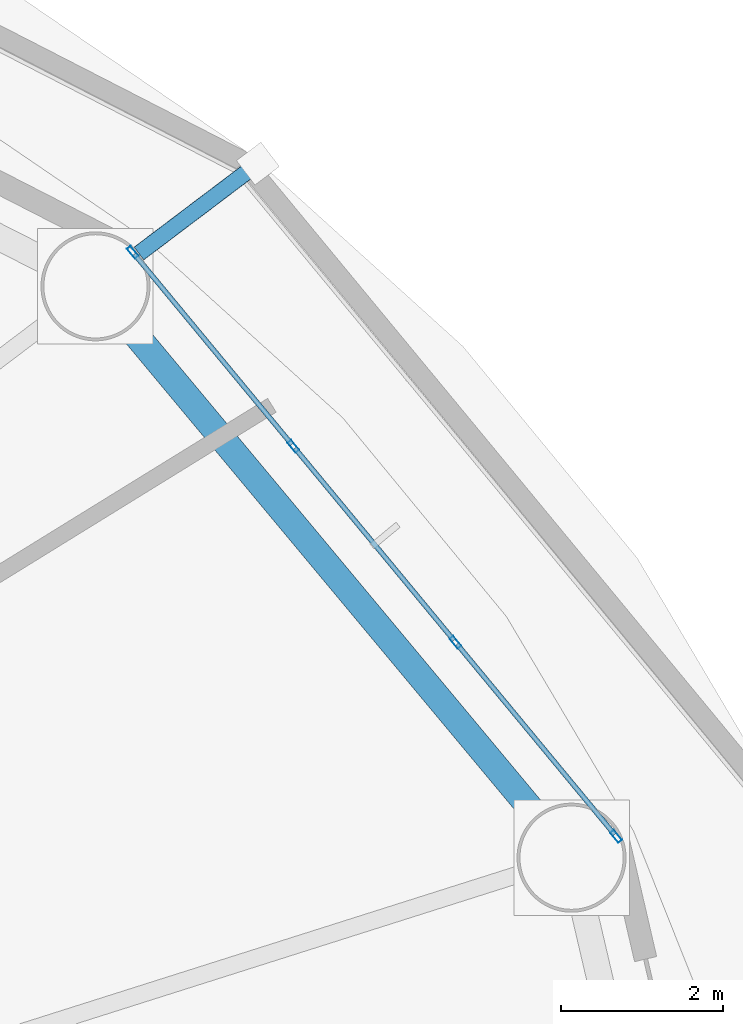
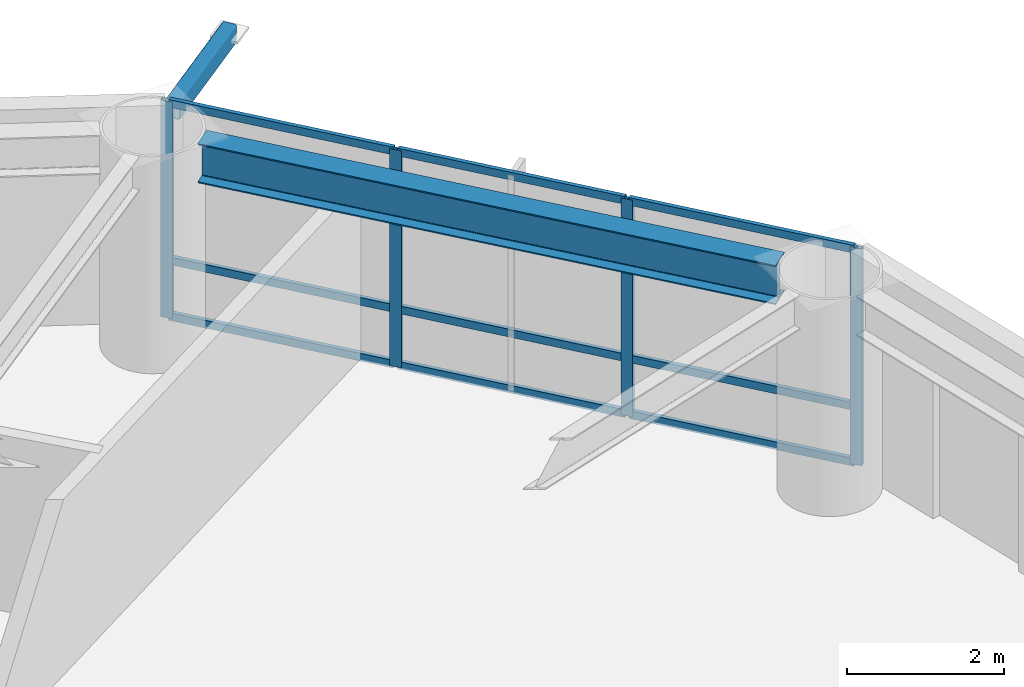
# One storey, part 12 of 25: 14 members, 1 beam, 1 element without a shape of its own.
"""IFC4 building model written with IfcOpenShell, lengths in metres."""

from ifc_helpers import new_model, si_unit, direction, frame, origin, origin_2d, place, context, subcontext, project, spatial, hollow_rectangle, i_section, extrude, material, layer, layer_set, material_profile, profile_set, type_object, element, aggregate, save


model = new_model("IFC4")

# Units and contexts
model_context = context("Model", 3, precision=1e-05, world=origin(), true_north=direction((0.0, 1.0)))
body_context = subcontext(model_context, "Body", "Model", "MODEL_VIEW")
ifc_project = project(units=[si_unit("LENGTHUNIT", "METRE"), si_unit("AREAUNIT", "SQUARE_METRE"), si_unit("VOLUMEUNIT", "CUBIC_METRE"), si_unit("PLANEANGLEUNIT", "RADIAN"), si_unit("MASSUNIT", "GRAM", prefix="KILO")], contexts=[model_context])

# Site, building, storey
site_placement = place(None, origin())
site = spatial("IfcSite", under=ifc_project, at=site_placement, CompositionType="ELEMENT")
building_placement = place(site_placement, origin())
building = spatial("IfcBuilding", under=site, at=building_placement, Name="Sarneth Arch Tower", CompositionType="ELEMENT")
storey_placement = place(building_placement, frame((0.0, 0.0, 84.0)))
storey = spatial("IfcBuildingStorey", under=building, at=storey_placement, Name="L20", CompositionType="ELEMENT", Elevation=84.0)

# Beam
ifc_material_1 = material(Name="Steel S355", Category="steel")
ifc_material_profile_1 = material_profile(ifc_material_1, i_section(OverallWidth=0.323974609375, OverallDepth=0.611083984375, WebThickness=0.0126953125, FlangeThickness=0.01904296875, FilletRadius=0.01904296875, at=origin_2d()), Name="W610x155")
ifc_profile_set_1 = profile_set([ifc_material_profile_1], Name="Steel S355")
beam_type = type_object("IfcBeamType", Name="BM-SPAN-610B", PredefinedType="SPANDREL", material=ifc_profile_set_1)
beam_placement = place(storey_placement, frame((73.859130859375, 50.861083984375, 3.074462890625), z_axis=(-0.640169116175, 0.768234015581, 0.0), x_axis=(-0.768234015581, -0.640169116175, 0.0)))
element("IfcBeam", 1, at=beam_placement, inside=storey, type_object=beam_type, Name="L20 Perimeter spandrel beam 02", PredefinedType="SPANDREL", context=body_context, shape_type="SweptSolid", body=[
    extrude(i_section(OverallWidth=0.323974609375, OverallDepth=0.611083984375, WebThickness=0.0126953125, FlangeThickness=0.01904296875, FilletRadius=0.01904296875, at=origin_2d()), origin(), (0.0, 0.0, 1.0), 7.856201171875),
])

# Curtain wall, members
ifc_material_2 = material(Name="Anodised aluminium Type AA25 and solar-control low-e laminated IGU", Category="aluminium")
ifc_layer = layer(ifc_material_2, 0.159912109375)
ifc_layer_set = layer_set([ifc_layer], Name="Anodised aluminium Type AA25 and solar-control low-e laminated IGU")
curtain_wall_type = type_object("IfcCurtainWallType", Name="CW-HOTEL-MID", PredefinedType="NOTDEFINED", material=ifc_layer_set)
curtain_wall_placement = place(storey_placement, origin())
curtain_wall = element("IfcCurtainWall", 2, at=curtain_wall_placement, inside=storey, type_object=curtain_wall_type, Name="L20 Unitised curtain wall facet 02", PredefinedType="NOTDEFINED")
ifc_material_3 = material(Name="Anodised Aluminium 6063-T6", Category="aluminium")
ifc_material_profile_2 = material_profile(ifc_material_3, hollow_rectangle(XDim=0.06005859375, YDim=0.159912109375, WallThickness=0.00390625, at=origin_2d()), Name="AL-MULL-160x60x4")
ifc_profile_set_2 = profile_set([ifc_material_profile_2], Name="Anodised Aluminium 6063-T6")
member_type_1 = type_object("IfcMemberType", Name="CW-MULLION", PredefinedType="MULLION", material=ifc_profile_set_2)
member_1_placement = place(storey_placement, frame((74.84228515625, 50.606689453125, 0.0), z_axis=(0.0, 0.0, 1.0), x_axis=(-0.770437787363, -0.637515188684, 0.0)))
member_1 = element("IfcMember", 3, at=member_1_placement, type_object=member_type_1, Name="CW-SYS-4 mullion 1", PredefinedType="MULLION", context=body_context, shape_type="SweptSolid", body=[
    extrude(hollow_rectangle(XDim=0.06005859375, YDim=0.159912109375, WallThickness=0.00390625, at=origin_2d()), origin(), (0.0, 0.0, 1.0), 3.3798828125),
])
member_2_placement = place(storey_placement, frame((72.854248046875, 53.00927734375, 0.0), z_axis=(0.0, 0.0, 1.0), x_axis=(-0.770437787363, -0.637515188684, 0.0)))
member_2 = element("IfcMember", 4, at=member_2_placement, type_object=member_type_1, Name="CW-SYS-4 mullion 2", PredefinedType="MULLION", context=body_context, shape_type="SweptSolid", body=[
    extrude(hollow_rectangle(XDim=0.06005859375, YDim=0.159912109375, WallThickness=0.00390625, at=origin_2d()), origin(), (0.0, 0.0, 1.0), 3.3798828125),
])
member_3_placement = place(storey_placement, frame((70.84716796875, 55.434814453125, 0.0), z_axis=(0.0, 0.0, 1.0), x_axis=(-0.770437787363, -0.637515188684, 0.0)))
member_3 = element("IfcMember", 5, at=member_3_placement, type_object=member_type_1, Name="CW-SYS-4 mullion 3", PredefinedType="MULLION", context=body_context, shape_type="SweptSolid", body=[
    extrude(hollow_rectangle(XDim=0.06005859375, YDim=0.159912109375, WallThickness=0.00390625, at=origin_2d()), origin(), (0.0, 0.0, 1.0), 3.3798828125),
])
member_4_placement = place(storey_placement, frame((68.859130859375, 57.83740234375, 0.0), z_axis=(0.0, 0.0, 1.0), x_axis=(-0.770437787363, -0.637515188684, 0.0)))
member_4 = element("IfcMember", 6, at=member_4_placement, type_object=member_type_1, Name="CW-SYS-4 mullion 4", PredefinedType="MULLION", context=body_context, shape_type="SweptSolid", body=[
    extrude(hollow_rectangle(XDim=0.06005859375, YDim=0.159912109375, WallThickness=0.00390625, at=origin_2d()), origin(), (0.0, 0.0, 1.0), 3.3798828125),
])
ifc_material_4 = material(Name="Anodised Aluminium 6063-T6", Category="aluminium")
ifc_material_profile_3 = material_profile(ifc_material_4, hollow_rectangle(XDim=0.06005859375, YDim=0.1201171875, WallThickness=0.00390625, at=origin_2d()), Name="AL-TRAN-120x60x4")
ifc_profile_set_3 = profile_set([ifc_material_profile_3], Name="Anodised Aluminium 6063-T6")
member_type_2 = type_object("IfcMemberType", Name="CW-TRANSOM", PredefinedType="USERDEFINED", material=ifc_profile_set_3)
member_5_placement = place(storey_placement, frame((74.8232421875, 50.6298828125, 0.030029296875), z_axis=(-0.637566080343, 0.770395673142, 0.0), x_axis=(-0.770395673142, -0.637566080343, 0.0)))
member_5 = element("IfcMember", 7, at=member_5_placement, type_object=member_type_2, Name="CW-SYS-4 transom 1.1", ObjectType="TRANSOM", PredefinedType="USERDEFINED", context=body_context, shape_type="SweptSolid", body=[
    extrude(hollow_rectangle(XDim=0.06005859375, YDim=0.1201171875, WallThickness=0.00390625, at=origin_2d()), origin(), (0.0, 0.0, 1.0), 3.058349609375),
])
member_6_placement = place(storey_placement, frame((74.8232421875, 50.6298828125, 0.89990234375), z_axis=(-0.637566080343, 0.770395673142, 0.0), x_axis=(-0.770395673142, -0.637566080343, 0.0)))
member_6 = element("IfcMember", 8, at=member_6_placement, type_object=member_type_2, Name="CW-SYS-4 transom 1.2", ObjectType="TRANSOM", PredefinedType="USERDEFINED", context=body_context, shape_type="SweptSolid", body=[
    extrude(hollow_rectangle(XDim=0.06005859375, YDim=0.1201171875, WallThickness=0.00390625, at=origin_2d()), origin(), (0.0, 0.0, 1.0), 3.058349609375),
])
member_7_placement = place(storey_placement, frame((74.8232421875, 50.6298828125, 3.35009765625), z_axis=(-0.637566080343, 0.770395673142, 0.0), x_axis=(-0.770395673142, -0.637566080343, 0.0)))
member_7 = element("IfcMember", 9, at=member_7_placement, type_object=member_type_2, Name="CW-SYS-4 transom 1.3", ObjectType="TRANSOM", PredefinedType="USERDEFINED", context=body_context, shape_type="SweptSolid", body=[
    extrude(hollow_rectangle(XDim=0.06005859375, YDim=0.1201171875, WallThickness=0.00390625, at=origin_2d()), origin(), (0.0, 0.0, 1.0), 3.058349609375),
])
member_8_placement = place(storey_placement, frame((72.835205078125, 53.0322265625, 0.030029296875), z_axis=(-0.637536975021, 0.770419759275, 0.0), x_axis=(-0.770419759275, -0.637536975021, 0.0)))
member_8 = element("IfcMember", 10, at=member_8_placement, type_object=member_type_2, Name="CW-SYS-4 transom 2.1", ObjectType="TRANSOM", PredefinedType="USERDEFINED", context=body_context, shape_type="SweptSolid", body=[
    extrude(hollow_rectangle(XDim=0.06005859375, YDim=0.1201171875, WallThickness=0.00390625, at=origin_2d()), origin(), (0.0, 0.0, 1.0), 3.08837890625),
])
member_9_placement = place(storey_placement, frame((72.835205078125, 53.0322265625, 0.89990234375), z_axis=(-0.637536975021, 0.770419759275, 0.0), x_axis=(-0.770419759275, -0.637536975021, 0.0)))
member_9 = element("IfcMember", 11, at=member_9_placement, type_object=member_type_2, Name="CW-SYS-4 transom 2.2", ObjectType="TRANSOM", PredefinedType="USERDEFINED", context=body_context, shape_type="SweptSolid", body=[
    extrude(hollow_rectangle(XDim=0.06005859375, YDim=0.1201171875, WallThickness=0.00390625, at=origin_2d()), origin(), (0.0, 0.0, 1.0), 3.08837890625),
])
member_10_placement = place(storey_placement, frame((72.835205078125, 53.0322265625, 3.35009765625), z_axis=(-0.637536975021, 0.770419759275, 0.0), x_axis=(-0.770419759275, -0.637536975021, 0.0)))
member_10 = element("IfcMember", 12, at=member_10_placement, type_object=member_type_2, Name="CW-SYS-4 transom 2.3", ObjectType="TRANSOM", PredefinedType="USERDEFINED", context=body_context, shape_type="SweptSolid", body=[
    extrude(hollow_rectangle(XDim=0.06005859375, YDim=0.1201171875, WallThickness=0.00390625, at=origin_2d()), origin(), (0.0, 0.0, 1.0), 3.08837890625),
])
member_11_placement = place(storey_placement, frame((70.828125, 55.4580078125, 0.030029296875), z_axis=(-0.637566080343, 0.770395673142, 0.0), x_axis=(-0.770395673142, -0.637566080343, 0.0)))
member_11 = element("IfcMember", 13, at=member_11_placement, type_object=member_type_2, Name="CW-SYS-4 transom 3.1", ObjectType="TRANSOM", PredefinedType="USERDEFINED", context=body_context, shape_type="SweptSolid", body=[
    extrude(hollow_rectangle(XDim=0.06005859375, YDim=0.1201171875, WallThickness=0.00390625, at=origin_2d()), origin(), (0.0, 0.0, 1.0), 3.058349609375),
])
member_12_placement = place(storey_placement, frame((70.828125, 55.4580078125, 0.89990234375), z_axis=(-0.637566080343, 0.770395673142, 0.0), x_axis=(-0.770395673142, -0.637566080343, 0.0)))
member_12 = element("IfcMember", 14, at=member_12_placement, type_object=member_type_2, Name="CW-SYS-4 transom 3.2", ObjectType="TRANSOM", PredefinedType="USERDEFINED", context=body_context, shape_type="SweptSolid", body=[
    extrude(hollow_rectangle(XDim=0.06005859375, YDim=0.1201171875, WallThickness=0.00390625, at=origin_2d()), origin(), (0.0, 0.0, 1.0), 3.058349609375),
])
member_13_placement = place(storey_placement, frame((70.828125, 55.4580078125, 3.35009765625), z_axis=(-0.637566080343, 0.770395673142, 0.0), x_axis=(-0.770395673142, -0.637566080343, 0.0)))
member_13 = element("IfcMember", 15, at=member_13_placement, type_object=member_type_2, Name="CW-SYS-4 transom 3.3", ObjectType="TRANSOM", PredefinedType="USERDEFINED", context=body_context, shape_type="SweptSolid", body=[
    extrude(hollow_rectangle(XDim=0.06005859375, YDim=0.1201171875, WallThickness=0.00390625, at=origin_2d()), origin(), (0.0, 0.0, 1.0), 3.058349609375),
])
aggregate(curtain_wall, [member_1, member_2, member_3, member_4, member_5, member_6, member_7, member_8, member_9, member_10, member_11, member_12, member_13])

# Member
ifc_material_5 = material(Name="Steel S355", Category="steel")
ifc_material_profile_4 = material_profile(ifc_material_5, hollow_rectangle(XDim=0.199951171875, YDim=0.300048828125, WallThickness=0.012451171875, InnerFilletRadius=0.018798828125, OuterFilletRadius=0.03125, at=origin_2d()), Name="RHS300x200x12.5")
ifc_profile_set_4 = profile_set([ifc_material_profile_4], Name="Steel S355")
member_type_3 = type_object("IfcMemberType", Name="MEM-CANT-STRUT", PredefinedType="STRUT", material=ifc_profile_set_4)
member_14_placement = place(storey_placement, frame((68.936279296875, 57.822021484375, 3.219970703125), z_axis=(0.797788139588, 0.602937877673, 0.0), x_axis=(-0.602937877673, 0.797788139588, 0.0)))
element("IfcMember", 16, at=member_14_placement, inside=storey, type_object=member_type_3, Name="L20 Balcony cantilever bracket 03", PredefinedType="STRUT", context=body_context, shape_type="SweptSolid", body=[
    extrude(hollow_rectangle(XDim=0.199951171875, YDim=0.300048828125, WallThickness=0.012451171875, InnerFilletRadius=0.018798828125, OuterFilletRadius=0.03125, at=origin_2d()), origin(), (0.0, 0.0, 1.0), 1.845703125),
])

save(model, "model.ifc")
